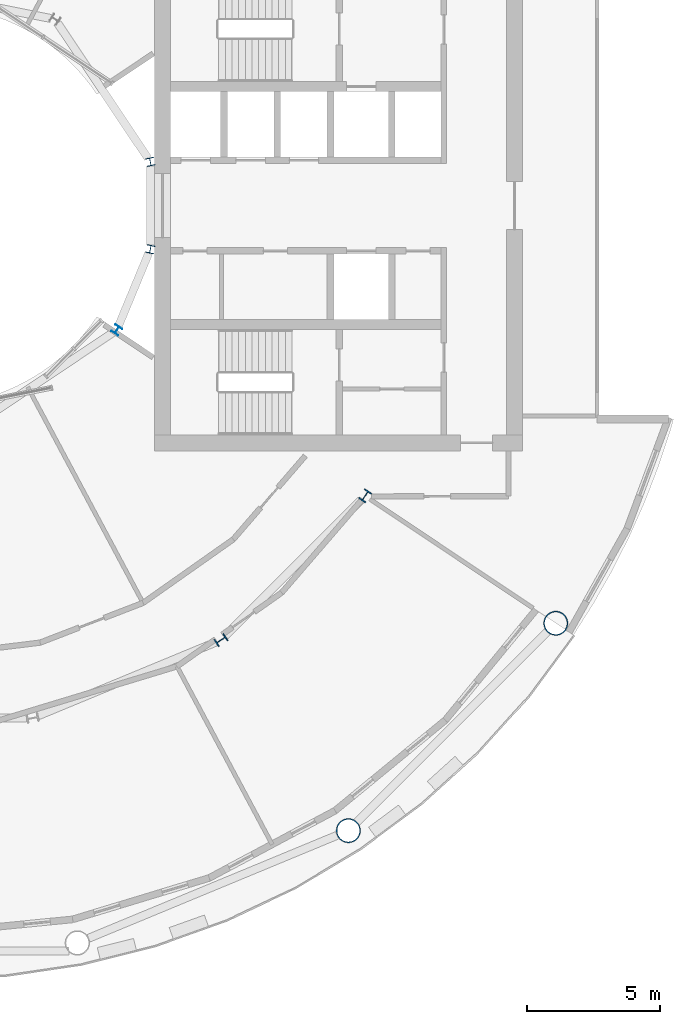
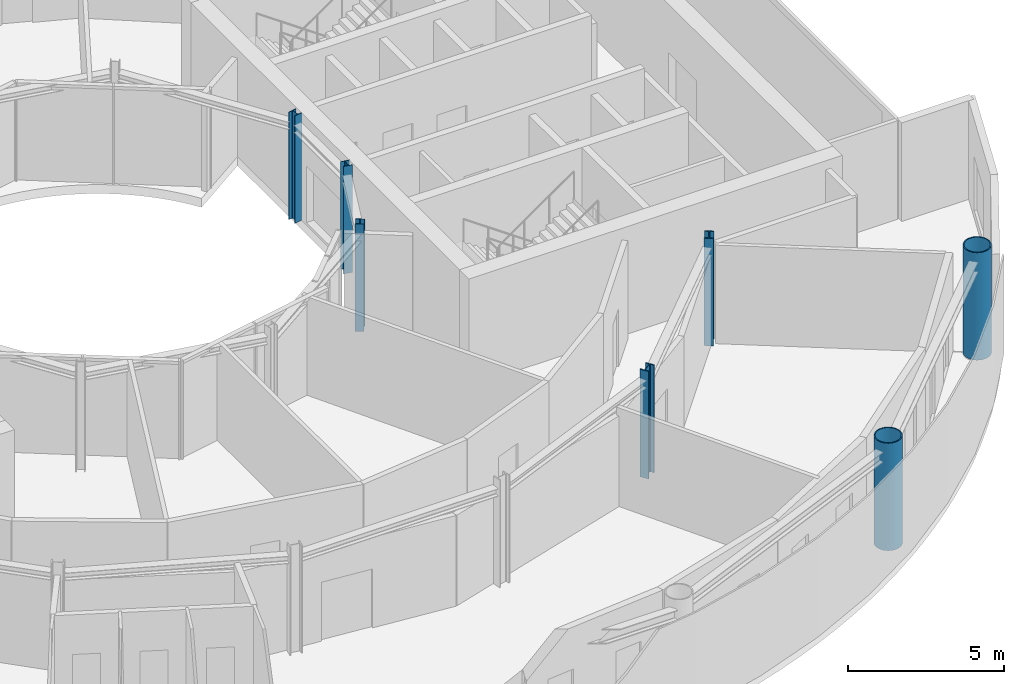
# One storey, part 2 of 21: 7 columns.
"""IFC4 building model written with IfcOpenShell, lengths in metres."""

import ifcopenshell
import ifcopenshell.guid

model = None  # the IFC model being written
_history = None  # IfcOwnerHistory: only IFC2X3 demands one
_inside = {}  # id of a spatial element -> (the spatial element, [elements in it])
_under = {}  # id of a project, library or spatial element -> (it, [spatial elements below it])
_declared = {}  # id of a project -> (the project, [libraries it declares])
_typed = {}  # id of a type object -> (the type object, [elements of that type])
_made_of = {}  # id of a material, layer set ... -> (it, [elements and type objects made of it])


def new_model(schema):
    """Start an empty IFC model of exactly this schema.

    Asked for "IFC4X3", IfcOpenShell would pick the latest addendum, in which some entities
    have other attributes; the version numbers below select the first issue.
    IFC2X3 requires an IfcOwnerHistory on every rooted entity: one is made here for all.
    """
    global model, _history
    if schema == "IFC4X3":
        model = ifcopenshell.file(schema_version=(4, 3, 0, 0))
    else:
        model = ifcopenshell.file(schema=schema)
    _inside.clear()
    _under.clear()
    _declared.clear()
    _typed.clear()
    _made_of.clear()
    _history = None
    if model.schema == "IFC2X3":
        org = make("IfcOrganization", Name="unknown")
        user = make(
            "IfcPersonAndOrganization",
            ThePerson=make("IfcPerson", FamilyName="unknown"),
            TheOrganization=org,
        )
        app = make(
            "IfcApplication",
            ApplicationDeveloper=org,
            Version="unknown",
            ApplicationFullName="unknown",
            ApplicationIdentifier="unknown",
        )
        _history = make(
            "IfcOwnerHistory",
            OwningUser=user,
            OwningApplication=app,
            ChangeAction="ADDED",
            CreationDate=0,
        )
    return model


def make(cls, **values):
    """One entity of the class cls with the attributes given. An attribute that is None is left unset."""
    return model.create_entity(
        cls, **{name: value for name, value in values.items() if value is not None}
    )


def rooted(cls, **values):
    """An entity with a GlobalId (a new one), such as an element, a storey or a relation."""
    return make(cls, GlobalId=ifcopenshell.guid.new(), OwnerHistory=_history, **values)


def si_unit(unit_type, name, prefix=None):
    """IfcSIUnit, for example si_unit("LENGTHUNIT", "METRE", prefix="MILLI")."""
    return make("IfcSIUnit", UnitType=unit_type, Prefix=prefix, Name=name)


def assignment(units):
    """IfcUnitAssignment: the units of a project."""
    return None if units is None else make("IfcUnitAssignment", Units=units)


def point(xyz):
    """IfcCartesianPoint."""
    return None if xyz is None else make("IfcCartesianPoint", Coordinates=xyz)


def direction(xyz):
    """IfcDirection."""
    return None if xyz is None else make("IfcDirection", DirectionRatios=xyz)


def frame(location, z_axis=None, x_axis=None):
    """IfcAxis2Placement3D, a coordinate frame: its origin and axes. An axis left out is left unset."""
    return make(
        "IfcAxis2Placement3D",
        Location=point(location),
        Axis=direction(z_axis),
        RefDirection=direction(x_axis),
    )


def frame_2d(location, x_axis=None):
    """IfcAxis2Placement2D, a coordinate frame in the plane: its origin and x axis."""
    return make(
        "IfcAxis2Placement2D", Location=point(location), RefDirection=direction(x_axis)
    )


def origin():
    """The frame at (0, 0, 0) with its axes left unset."""
    return frame((0.0, 0.0, 0.0))


def origin_2d():
    """The frame at (0, 0) in the plane with its x axis left unset."""
    return frame_2d((0.0, 0.0))


def place(relative_to, where):
    """IfcLocalPlacement: puts the frame where relative to a parent placement (None: the world)."""
    return make(
        "IfcLocalPlacement", PlacementRelTo=relative_to, RelativePlacement=where
    )


def context(
    kind, dimensions, precision=None, world=None, true_north=None, identifier=None
):
    """IfcGeometricRepresentationContext, for example the 3D "Model" context."""
    return make(
        "IfcGeometricRepresentationContext",
        ContextIdentifier=identifier,
        ContextType=kind,
        CoordinateSpaceDimension=dimensions,
        Precision=precision,
        WorldCoordinateSystem=world,
        TrueNorth=true_north,
    )


def subcontext(parent, identifier, kind, view, scale=None):
    """IfcGeometricRepresentationSubContext, for example "Body" below "Model"."""
    return make(
        "IfcGeometricRepresentationSubContext",
        ContextIdentifier=identifier,
        ContextType=kind,
        ParentContext=parent,
        TargetScale=scale,
        TargetView=view,
    )


def project(units=None, contexts=None):
    """IfcProject with its units and contexts."""
    return rooted(
        "IfcProject",
        Name="project",
        RepresentationContexts=contexts,
        UnitsInContext=assignment(units),
    )


def spatial(cls, under=None, at=None, **own):
    """A site, building, storey or space (cls), placed at a placement, below another one or the project."""
    s = rooted(cls, ObjectPlacement=at, **own)
    if under is not None:
        _under.setdefault(under.id(), (under, []))[1].append(s)
    return s


def profile(cls, at=None, kind="AREA", **sizes):
    """A parametric profile (cls). Its sizes go by their IFC names, for example OverallWidth=200.0."""
    return make(cls, ProfileType=kind, Position=at, **sizes)


def hollow_circle(**sizes):
    """IfcCircleHollowProfileDef."""
    return profile("IfcCircleHollowProfileDef", **sizes)


def i_section(**sizes):
    """IfcIShapeProfileDef."""
    return profile("IfcIShapeProfileDef", **sizes)


def extrude(swept, where, along, depth):
    """IfcExtrudedAreaSolid: the profile swept, set in the frame where, extruded along a direction by depth."""
    return make(
        "IfcExtrudedAreaSolid",
        SweptArea=swept,
        Position=where,
        ExtrudedDirection=direction(along),
        Depth=depth,
    )


def shape(context_of_items, identifier, shape_type, items):
    """IfcShapeRepresentation: the items that make up one representation, for example the "Body"."""
    return make(
        "IfcShapeRepresentation",
        ContextOfItems=context_of_items,
        RepresentationIdentifier=identifier,
        RepresentationType=shape_type,
        Items=items,
    )


def material(Name=None, Category=None):
    """IfcMaterial."""
    return make("IfcMaterial", Name=Name, Category=Category)


def material_profile(
    of_material, cross_section, Name=None, Category=None, Priority=None
):
    """IfcMaterialProfile: a cross section and its material."""
    return make(
        "IfcMaterialProfile",
        Name=Name,
        Material=of_material,
        Profile=cross_section,
        Priority=Priority,
        Category=Category,
    )


def profile_set(profiles, Name=None, composite=None):
    """IfcMaterialProfileSet."""
    return make(
        "IfcMaterialProfileSet",
        Name=Name,
        MaterialProfiles=profiles,
        CompositeProfile=composite,
    )


def made_of(thing, what):
    """Note that an element or type object is made of a material, layer set ...; save() writes the relation."""
    if what is not None:
        _made_of.setdefault(what.id(), (what, []))[1].append(thing)
    return thing


def type_object(cls, material=None, **own):
    """A type object (cls), such as IfcWallType, which elements share."""
    return made_of(rooted(cls, **own), material)


def element(
    cls,
    number,
    at=None,
    inside=None,
    cuts=None,
    type_object=None,
    material=None,
    context=None,
    identifier="Body",
    shape_type=None,
    held_by="IfcProductDefinitionShape",
    body=None,
    shapes=None,
    **own,
):
    """One element of the class cls, such as IfcWall. Its Tag is "e" and its number.

    at: its placement. inside: the storey or other place that contains it. cuts: it is an
    opening in that element (IfcRelVoidsElement). A single representation is given by context,
    identifier, shape_type and body (its items); several are given by shapes. held_by: the class
    of the entity that holds the representations. save() writes the other relations.
    """
    e = rooted(cls, Tag="e%d" % number, ObjectPlacement=at, **own)
    if body is not None:
        shapes = [shape(context, identifier, shape_type, body)]
    if shapes is not None:
        e.Representation = make(held_by, Representations=shapes)
    if inside is not None:
        _inside.setdefault(inside.id(), (inside, []))[1].append(e)
    if cuts is not None:
        rooted(
            "IfcRelVoidsElement", RelatingBuildingElement=cuts, RelatedOpeningElement=e
        )
    if type_object is not None:
        _typed.setdefault(type_object.id(), (type_object, []))[1].append(e)
    return made_of(e, material)


def aggregate(whole, parts):
    """IfcRelAggregates: a whole, such as a stair, and the parts it consists of."""
    return rooted("IfcRelAggregates", RelatingObject=whole, RelatedObjects=parts)


def save(model, path):
    """Write the relations noted so far, then the file.

    IfcRelAggregates (storeys below a building ...), IfcRelContainedInSpatialStructure (elements
    in a storey), IfcRelDefinesByType, IfcRelAssociatesMaterial and IfcRelDeclares: one each for
    every whole, place, type object, material and project.
    """
    for whole, parts in _under.values():
        aggregate(whole, parts)
    for where, things in _inside.values():
        rooted(
            "IfcRelContainedInSpatialStructure",
            RelatedElements=things,
            RelatingStructure=where,
        )
    for kind, things in _typed.values():
        rooted("IfcRelDefinesByType", RelatedObjects=things, RelatingType=kind)
    for what, things in _made_of.values():
        rooted("IfcRelAssociatesMaterial", RelatedObjects=things, RelatingMaterial=what)
    for by, libraries in _declared.values():
        rooted("IfcRelDeclares", RelatingContext=by, RelatedDefinitions=libraries)
    model.write(path)


model = new_model("IFC4")

# Units and contexts
model_context = context("Model", 3, precision=1e-05, world=origin(), true_north=direction((0.0, 1.0)))
body_context = subcontext(model_context, "Body", "Model", "MODEL_VIEW")
ifc_project = project(units=[si_unit("LENGTHUNIT", "METRE"), si_unit("AREAUNIT", "SQUARE_METRE"), si_unit("VOLUMEUNIT", "CUBIC_METRE"), si_unit("PLANEANGLEUNIT", "RADIAN"), si_unit("MASSUNIT", "GRAM", prefix="KILO")], contexts=[model_context])

# Site, building, storey
site_placement = place(None, origin())
site = spatial("IfcSite", under=ifc_project, at=site_placement, CompositionType="ELEMENT")
building_placement = place(site_placement, origin())
building = spatial("IfcBuilding", under=site, at=building_placement, Name="Maasbend Ring Residences", CompositionType="ELEMENT")
storey_placement = place(building_placement, frame((0.0, 0.0, 107.449951171875)))
storey = spatial("IfcBuildingStorey", under=building, at=storey_placement, Name="L30", CompositionType="ELEMENT", Elevation=107.449951171875)

# Columns
ifc_material_1 = material(Name="Composite concrete-filled steel tube S460NH / C80/95", Category="concrete")
ifc_material_profile_1 = material_profile(ifc_material_1, hollow_circle(Radius=0.45703125, WallThickness=0.0400390625, at=origin_2d()), Name="Composite tube column CHS 914x40")
ifc_profile_set_1 = profile_set([ifc_material_profile_1], Name="Composite concrete-filled steel tube S460NH / C80/95")
column_type_1 = type_object("IfcColumnType", Name="Composite tube column CHS 914x40", PredefinedType="COLUMN", material=ifc_profile_set_1)
for number, where, z_axis, x_axis, name in (
    (1, (15.6669921875, -23.447509765625, 0.0), (0.0, 0.0, 1.0), (1.0, 0.0, 0.0), "Outer column R14"),
    (2, (23.447509765625, -15.6669921875, 0.0), (0.0, 0.0, 1.0), (1.0, 0.0, 0.0), "Outer column R15"),
):
    element("IfcColumn", number, at=place(storey_placement, frame(where, z_axis=z_axis, x_axis=x_axis)), inside=storey, type_object=column_type_1, Name=name, PredefinedType="COLUMN", context=body_context, shape_type="SweptSolid", body=[
        extrude(hollow_circle(Radius=0.45703125, WallThickness=0.0400390625, at=origin_2d()), origin(), (0.0, 0.0, 1.0), 4.199951171875),
    ])
ifc_material_2 = material(Name="Steel S355J2", Category="steel")
ifc_material_profile_2 = material_profile(ifc_material_2, i_section(OverallWidth=0.300048828125, OverallDepth=0.300048828125, WebThickness=0.010986328125, FlangeThickness=0.01904296875, FilletRadius=0.027099609375, at=origin_2d()), Name="HEB 300")
ifc_profile_set_2 = profile_set([ifc_material_profile_2], Name="Steel S355J2")
column_type_2 = type_object("IfcColumnType", Name="Steel column HEB 300", PredefinedType="COLUMN", material=ifc_profile_set_2)
for number, where, z_axis, x_axis, name in (
    (3, (8.238525390625, 1.638916015625, 0.0), (0.0, 0.0, 1.0), (0.980785280403, 0.195090322016, 0.0), "Well ring column R1"),
    (4, (6.984375, -4.666748046875, 0.0), (0.0, 0.0, 1.0), (0.831469612303, -0.55557023302, 0.0), "Well ring column R15"),
    (5, (8.238525390625, -1.638916015625, 0.0), (0.0, 0.0, 1.0), (0.980785280403, -0.195090322016, 0.0), "Well ring column R16"),
):
    element("IfcColumn", number, at=place(storey_placement, frame(where, z_axis=z_axis, x_axis=x_axis)), inside=storey, type_object=column_type_2, Name=name, PredefinedType="COLUMN", context=body_context, shape_type="SweptSolid", body=[
        extrude(i_section(OverallWidth=0.300048828125, OverallDepth=0.300048828125, WebThickness=0.010986328125, FlangeThickness=0.01904296875, FilletRadius=0.027099609375, at=origin_2d()), origin(), (0.0, 0.0, 1.0), 4.199951171875),
    ])
ifc_material_3 = material(Name="Steel S460M", Category="steel")
ifc_material_profile_3 = material_profile(ifc_material_3, i_section(OverallWidth=0.306884765625, OverallDepth=0.431884765625, WebThickness=0.02099609375, FlangeThickness=0.0400390625, FilletRadius=0.027099609375, at=origin_2d()), Name="HEM 400")
ifc_profile_set_3 = profile_set([ifc_material_profile_3], Name="Steel S460M")
column_type_3 = type_object("IfcColumnType", Name="Steel column HEM 400", PredefinedType="COLUMN", material=ifc_profile_set_3)
for number, where, z_axis, x_axis, name in (
    (6, (10.88916015625, -16.296875, 0.0), (0.0, 0.0, 1.0), (0.55557023302, -0.831469612303, 0.0), "Corridor ring column R14"),
    (7, (16.296875, -10.88916015625, 0.0), (0.0, 0.0, 1.0), (0.831469612303, -0.55557023302, 0.0), "Corridor ring column R15"),
):
    element("IfcColumn", number, at=place(storey_placement, frame(where, z_axis=z_axis, x_axis=x_axis)), inside=storey, type_object=column_type_3, Name=name, PredefinedType="COLUMN", context=body_context, shape_type="SweptSolid", body=[
        extrude(i_section(OverallWidth=0.306884765625, OverallDepth=0.431884765625, WebThickness=0.02099609375, FlangeThickness=0.0400390625, FilletRadius=0.027099609375, at=origin_2d()), origin(), (0.0, 0.0, 1.0), 4.199951171875),
    ])

save(model, "model.ifc")
